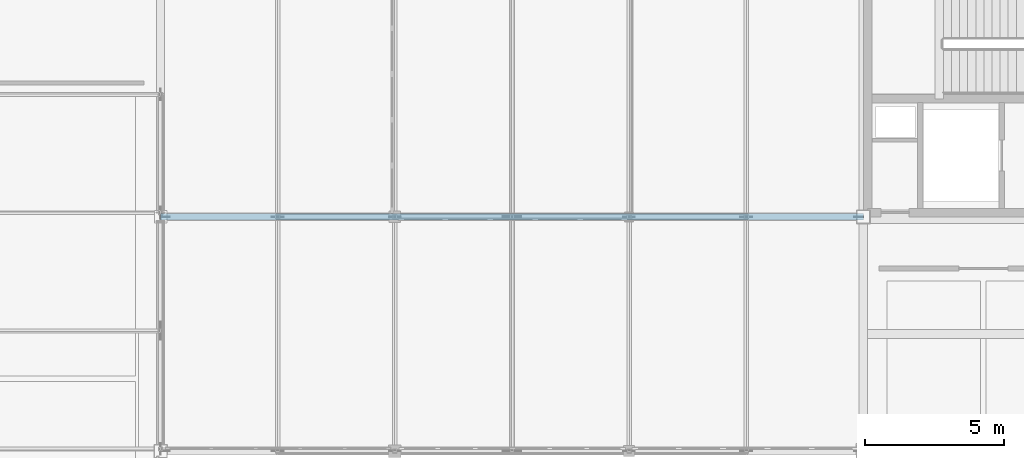
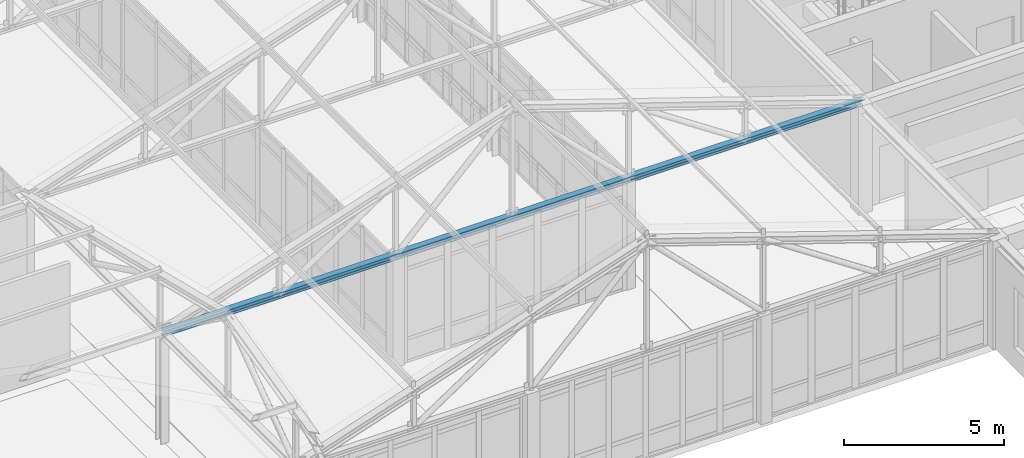
# One storey, part 39 of 192: 1 member.
"""IFC4 building model written with IfcOpenShell, lengths in metres."""

from ifc_helpers import new_model, si_unit, direction, frame, origin, origin_2d, place, context, subcontext, project, spatial, i_section, extrude, material, material_profile, profile_set, type_object, element, save


model = new_model("IFC4")

# Units and contexts
model_context = context("Model", 3, precision=1e-05, world=origin(), true_north=direction((0.0, 1.0)))
body_context = subcontext(model_context, "Body", "Model", "MODEL_VIEW")
ifc_project = project(units=[si_unit("LENGTHUNIT", "METRE"), si_unit("AREAUNIT", "SQUARE_METRE"), si_unit("VOLUMEUNIT", "CUBIC_METRE"), si_unit("PLANEANGLEUNIT", "RADIAN"), si_unit("MASSUNIT", "GRAM", prefix="KILO")], contexts=[model_context])

# Site, building, storey
site_placement = place(None, origin())
site = spatial("IfcSite", under=ifc_project, at=site_placement, CompositionType="ELEMENT")
building_placement = place(site_placement, origin())
building = spatial("IfcBuilding", under=site, at=building_placement, Name="Kveldsbrygga Polytechnic", CompositionType="ELEMENT")
storey_placement = place(building_placement, frame((0.0, 0.0, 5.43994140625)))
storey = spatial("IfcBuildingStorey", under=building, at=storey_placement, Name="L01", CompositionType="ELEMENT", Elevation=5.43994140625)

# Member
ifc_material = material(Name="Steel S355", Category="steel")
ifc_material_profile = material_profile(ifc_material, i_section(OverallWidth=0.219970703125, OverallDepth=0.2099609375, WebThickness=0.007080078125, FlangeThickness=0.010986328125, FilletRadius=0.01806640625, at=origin_2d()), Name="HEA 220")
ifc_profile_set = profile_set([ifc_material_profile], Name="Steel S355")
member_type = type_object("IfcMemberType", Name="TR-BOT-HEA220", PredefinedType="CHORD", material=ifc_profile_set)
member_placement = place(storey_placement, frame((50.39990234375, 16.800048828125, 4.1201171875), z_axis=(1.0, 0.0, 0.0), x_axis=(0.0, 1.0, 0.0)))
element("IfcMember", 1, at=member_placement, inside=storey, type_object=member_type, Name="Truss Bottom Chord V5C-T02-BC-1", PredefinedType="CHORD", context=body_context, shape_type="SweptSolid", body=[
    extrude(i_section(OverallWidth=0.219970703125, OverallDepth=0.2099609375, WebThickness=0.007080078125, FlangeThickness=0.010986328125, FilletRadius=0.01806640625, at=origin_2d()), origin(), (0.0, 0.0, 1.0), 25.2001953125),
])

save(model, "model.ifc")
